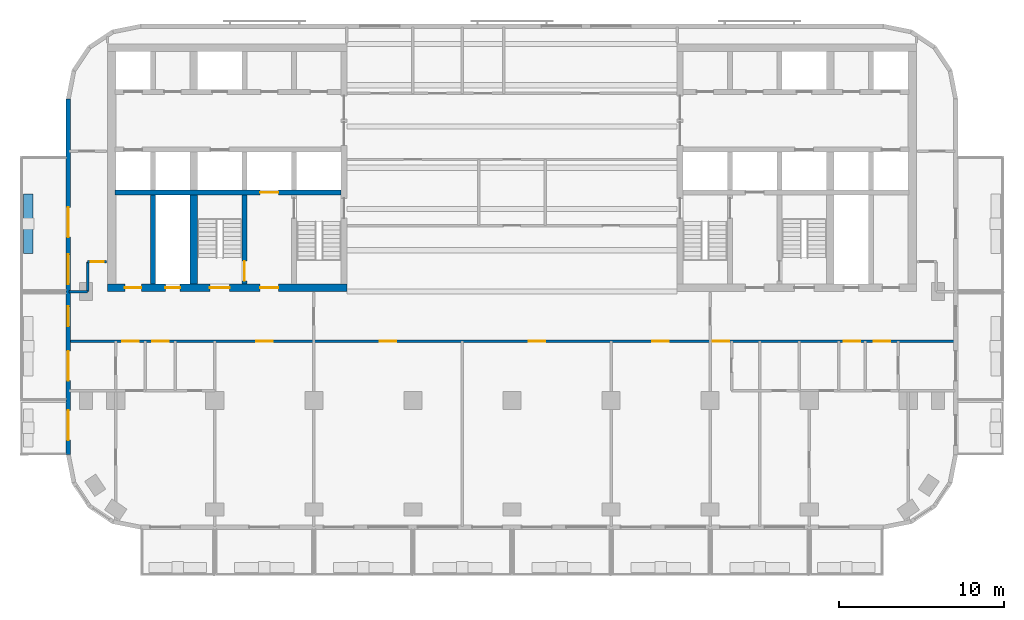
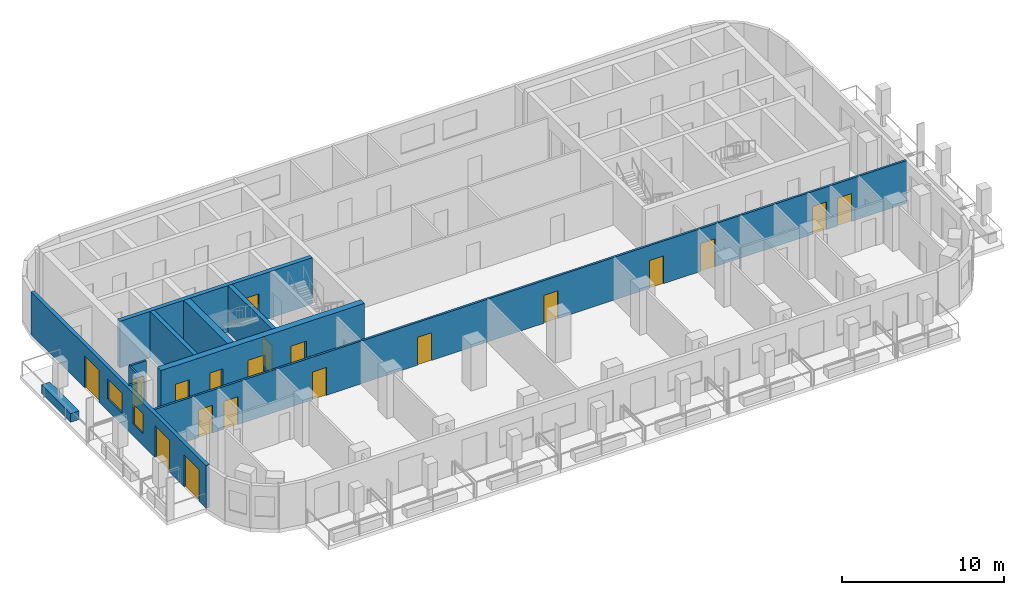
# One storey, part 3 of 11: 19 doors, 11 walls, 2 windows, 21 openings.
"""IFC4 building model written with IfcOpenShell, lengths in metres."""

from ifc_helpers import new_model, si_unit, direction, frame, frame_2d, origin, place, context, subcontext, project, spatial, rectangle, extrude, material, layer, layer_set, type_object, element, fill, save


model = new_model("IFC4")

# Units and contexts
model_context = context("Model", 3, precision=1e-05, world=origin(), true_north=direction((0.0, 1.0)))
body_context = subcontext(model_context, "Body", "Model", "MODEL_VIEW")
ifc_project = project(units=[si_unit("LENGTHUNIT", "METRE"), si_unit("AREAUNIT", "SQUARE_METRE"), si_unit("VOLUMEUNIT", "CUBIC_METRE"), si_unit("PLANEANGLEUNIT", "RADIAN"), si_unit("MASSUNIT", "GRAM", prefix="KILO")], contexts=[model_context])

# Site, building, storey
site_placement = place(None, origin())
site = spatial("IfcSite", under=ifc_project, at=site_placement, CompositionType="ELEMENT")
building_placement = place(site_placement, origin())
building = spatial("IfcBuilding", under=site, at=building_placement, Name="Torana Hotel and Residences", CompositionType="ELEMENT")
storey_placement = place(building_placement, frame((0.0, 0.0, 229.10009765625)))
storey = spatial("IfcBuildingStorey", under=building, at=storey_placement, Name="L60", CompositionType="ELEMENT", Elevation=229.10009765625)

# Wall, opening, door
ifc_material_1 = material(Name="Concrete C70/85", Category="concrete")
ifc_layer_1 = layer(ifc_material_1, 0.300048828125)
ifc_layer_set_1 = layer_set([ifc_layer_1], Name="CORE WALL 300 C70/85")
wall_type_1 = type_object("IfcWallType", Name="CORE WALL 300 C70/85", PredefinedType="SHEAR", material=ifc_layer_set_1)
wall_1_placement = place(storey_placement, frame((-24.050048828125, -9.0, 0.0), z_axis=(0.0, 0.0, 1.0), x_axis=(1.0, 0.0, 0.0)))
wall_1 = element("IfcWall", 1, at=wall_1_placement, inside=storey, type_object=wall_type_1, Name="Core wall W band", PredefinedType="SHEAR", context=body_context, shape_type="SweptSolid", body=[
    extrude(rectangle(XDim=13.699951171875, YDim=0.300048828125, at=frame_2d((6.85009765625, 0.0))), origin(), (0.0, 0.0, 1.0), 3.5),
])
opening_1_placement = place(wall_1_placement, frame((8.800048828125, 0.0, 0.0)))
opening_1 = element("IfcOpeningElement", 2, at=opening_1_placement, cuts=wall_1, Name="Opening LD", PredefinedType="OPENING", context=body_context, shape_type="SweptSolid", body=[
    extrude(rectangle(XDim=1.10009765625, YDim=2.10009765625, at=frame_2d((0.550048828125, 1.050048828125))), frame((0.0, 0.159912109375, 0.0), z_axis=(0.0, -1.0, 0.0), x_axis=(1.0, 0.0, 0.0)), (0.0, 0.0, 1.0), 0.320068359375),
])
ifc_material_2 = material(Name="Stainless steel 316", Category="steel")
door_type_1 = type_object("IfcDoorType", Name="LIFT LANDING DOOR LD 1100x2100", OperationType="DOUBLE_DOOR_SLIDING", PredefinedType="USERDEFINED", material=ifc_material_2)
door_1_placement = place(opening_1_placement, origin())
door_1 = element("IfcDoor", 3, at=door_1_placement, inside=storey, type_object=door_type_1, Name="Lift landing door FF1 L60", ObjectType="LIFT LANDING DOOR", OperationType="DOUBLE_DOOR_SLIDING", OverallHeight=2.10009765625, OverallWidth=1.10009765625, PredefinedType="USERDEFINED", context=body_context, shape_type="SweptSolid", body=[
    extrude(rectangle(XDim=1.10009765625, YDim=2.10009765625, at=frame_2d((0.550048828125, 1.050048828125))), frame((0.0, 0.02490234375, 0.0), z_axis=(0.0, -1.0, 0.0), x_axis=(1.0, 0.0, 0.0)), (0.0, 0.0, 1.0), 0.050048828125),
])
fill(opening_1, door_1)

wall_2_placement = place(storey_placement, frame((-16.199951171875, -14.550048828125, 0.0), z_axis=(0.0, 0.0, 1.0), x_axis=(0.0, 1.0, 0.0)))
wall_2 = element("IfcWall", 4, at=wall_2_placement, inside=storey, type_object=wall_type_1, Name="Core wall W x6.05-band", PredefinedType="SHEAR", context=body_context, shape_type="SweptSolid", body=[
    extrude(rectangle(XDim=5.400146484375, YDim=0.300048828125, at=frame_2d((2.7001953125, 0.0))), origin(), (0.0, 0.0, 1.0), 3.5),
])
opening_2_placement = place(wall_2_placement, frame((0.199951171875, 0.0, 0.0)))
opening_2 = element("IfcOpeningElement", 5, at=opening_2_placement, cuts=wall_2, Name="Opening L60-13", PredefinedType="OPENING", context=body_context, shape_type="SweptSolid", body=[
    extrude(rectangle(XDim=1.199951171875, YDim=2.10009765625, at=frame_2d((0.60009765625, 1.050048828125))), frame((0.0, 0.159912109375, 0.0), z_axis=(0.0, -1.0, 0.0), x_axis=(1.0, 0.0, 0.0)), (0.0, 0.0, 1.0), 0.320068359375),
])
ifc_material_3 = material(Name="Steel S235", Category="steel")
door_type_2 = type_object("IfcDoorType", Name="STAIR FIRE DOOR D3 1200x2100", OperationType="SINGLE_SWING_LEFT", PredefinedType="DOOR", material=ifc_material_3)
door_2_placement = place(opening_2_placement, origin())
door_2 = element("IfcDoor", 6, at=door_2_placement, inside=storey, type_object=door_type_2, Name="Stair-B-lobby door L60", OperationType="SINGLE_SWING_RIGHT", OverallHeight=2.10009765625, OverallWidth=1.199951171875, PredefinedType="DOOR", context=body_context, shape_type="SweptSolid", body=[
    extrude(rectangle(XDim=1.199951171875, YDim=2.10009765625, at=frame_2d((0.60009765625, 1.050048828125))), frame((0.0, 0.02490234375, 0.0), z_axis=(0.0, -1.0, 0.0), x_axis=(1.0, 0.0, 0.0)), (0.0, 0.0, 1.0), 0.050048828125),
])
fill(opening_2, door_2)

# Wall
wall_3_placement = place(storey_placement, frame((-21.75, -14.550048828125, 0.0), z_axis=(0.0, 0.0, 1.0), x_axis=(0.0, 1.0, 0.0)))
element("IfcWall", 7, at=wall_3_placement, inside=storey, type_object=wall_type_1, Name="Core wall W mm-band", PredefinedType="SHEAR", context=body_context, shape_type="SweptSolid", body=[
    extrude(rectangle(XDim=5.400146484375, YDim=0.300048828125, at=frame_2d((2.7001953125, 0.0))), origin(), (0.0, 0.0, 1.0), 3.5),
])

# Wall, openings, doors
ifc_material_4 = material(Name="Concrete C70/85", Category="concrete")
ifc_layer_2 = layer(ifc_material_4, 0.449951171875)
ifc_layer_set_2 = layer_set([ifc_layer_2], Name="CORE WALL 450 C70/85")
wall_type_2 = type_object("IfcWallType", Name="CORE WALL 450 C70/85", PredefinedType="SHEAR", material=ifc_layer_set_2)
wall_4_placement = place(storey_placement, frame((-24.5, -14.77490234375, 0.0), z_axis=(0.0, 0.0, 1.0), x_axis=(1.0, 0.0, 0.0)))
wall_4 = element("IfcWall", 8, at=wall_4_placement, inside=storey, type_object=wall_type_2, Name="Core wall W front", PredefinedType="SHEAR", context=body_context, shape_type="SweptSolid", body=[
    extrude(rectangle(XDim=14.5, YDim=0.449951171875, at=frame_2d((7.25, 0.0))), origin(), (0.0, 0.0, 1.0), 3.5),
])
opening_3_placement = place(wall_4_placement, frame((6.199951171875, 0.0, 0.0)))
opening_3 = element("IfcOpeningElement", 9, at=opening_3_placement, cuts=wall_4, Name="Opening L60-04", PredefinedType="OPENING", context=body_context, shape_type="SweptSolid", body=[
    extrude(rectangle(XDim=1.199951171875, YDim=2.10009765625, at=frame_2d((0.60009765625, 1.050048828125))), frame((0.0, 0.23486328125, 0.0), z_axis=(0.0, -1.0, 0.0), x_axis=(1.0, 0.0, 0.0)), (0.0, 0.0, 1.0), 0.469970703125),
])
opening_4_placement = place(wall_4_placement, frame((9.25, 0.0, 0.0)))
opening_4 = element("IfcOpeningElement", 10, at=opening_4_placement, cuts=wall_4, Name="Opening L60-05", PredefinedType="OPENING", context=body_context, shape_type="SweptSolid", body=[
    extrude(rectangle(XDim=1.10009765625, YDim=2.10009765625, at=frame_2d((0.550048828125, 1.050048828125))), frame((0.0, 0.23486328125, 0.0), z_axis=(0.0, -1.0, 0.0), x_axis=(1.0, 0.0, 0.0)), (0.0, 0.0, 1.0), 0.469970703125),
])
opening_5_placement = place(wall_4_placement, frame((3.5, 0.0, 0.0)))
opening_5 = element("IfcOpeningElement", 11, at=opening_5_placement, cuts=wall_4, Name="Opening L60-06", PredefinedType="OPENING", context=body_context, shape_type="SweptSolid", body=[
    extrude(rectangle(XDim=0.89990234375, YDim=2.10009765625, at=frame_2d((0.449951171875, 1.050048828125))), frame((0.0, 0.23486328125, 0.0), z_axis=(0.0, -1.0, 0.0), x_axis=(1.0, 0.0, 0.0)), (0.0, 0.0, 1.0), 0.469970703125),
])
opening_6_placement = place(wall_4_placement, frame((1.050048828125, 0.0, 0.0)))
opening_6 = element("IfcOpeningElement", 12, at=opening_6_placement, cuts=wall_4, Name="Opening L60-07", PredefinedType="OPENING", context=body_context, shape_type="SweptSolid", body=[
    extrude(rectangle(XDim=1.0, YDim=2.10009765625, at=frame_2d((0.5, 1.050048828125))), frame((0.0, 0.23486328125, 0.0), z_axis=(0.0, -1.0, 0.0), x_axis=(1.0, 0.0, 0.0)), (0.0, 0.0, 1.0), 0.469970703125),
])
ifc_material_5 = material(Name="Steel S235", Category="steel")
door_type_3 = type_object("IfcDoorType", Name="CORE ROOM FIRE DOOR D14 1000x2100", OperationType="SINGLE_SWING_LEFT", PredefinedType="DOOR", material=ifc_material_5)
door_3_placement = place(opening_6_placement, origin())
door_3 = element("IfcDoor", 13, at=door_3_placement, inside=storey, type_object=door_type_3, Name="M-Room door L60", OperationType="SINGLE_SWING_RIGHT", OverallHeight=2.10009765625, OverallWidth=1.0, PredefinedType="DOOR", context=body_context, shape_type="SweptSolid", body=[
    extrude(rectangle(XDim=1.0, YDim=2.10009765625, at=frame_2d((0.5, 1.050048828125))), frame((0.0, 0.02490234375, 0.0), z_axis=(0.0, -1.0, 0.0), x_axis=(1.0, 0.0, 0.0)), (0.0, 0.0, 1.0), 0.050048828125),
])
fill(opening_6, door_3)
ifc_material_6 = material(Name="Steel S235", Category="steel")
door_type_4 = type_object("IfcDoorType", Name="FIRE-FIGHTING LOBBY DOOR D8 1100x2100", OperationType="SINGLE_SWING_LEFT", PredefinedType="DOOR", material=ifc_material_6)
door_4_placement = place(opening_4_placement, origin())
door_4 = element("IfcDoor", 14, at=door_4_placement, inside=storey, type_object=door_type_4, Name="FF-lobby door L60", OperationType="SINGLE_SWING_RIGHT", OverallHeight=2.10009765625, OverallWidth=1.10009765625, PredefinedType="DOOR", context=body_context, shape_type="SweptSolid", body=[
    extrude(rectangle(XDim=1.10009765625, YDim=2.10009765625, at=frame_2d((0.550048828125, 1.050048828125))), frame((0.0, 0.02490234375, 0.0), z_axis=(0.0, -1.0, 0.0), x_axis=(1.0, 0.0, 0.0)), (0.0, 0.0, 1.0), 0.050048828125),
])
fill(opening_4, door_4)
ifc_material_7 = material(Name="Steel S235", Category="steel")
door_type_5 = type_object("IfcDoorType", Name="RISER ACCESS DOOR D5 900x2100", OperationType="SINGLE_SWING_LEFT", PredefinedType="DOOR", material=ifc_material_7)
door_5_placement = place(opening_5_placement, origin())
door_5 = element("IfcDoor", 15, at=door_5_placement, inside=storey, type_object=door_type_5, Name="M-Riser door L60", OperationType="SINGLE_SWING_RIGHT", OverallHeight=2.10009765625, OverallWidth=0.89990234375, PredefinedType="DOOR", context=body_context, shape_type="SweptSolid", body=[
    extrude(rectangle(XDim=0.89990234375, YDim=2.10009765625, at=frame_2d((0.449951171875, 1.050048828125))), frame((0.0, 0.02490234375, 0.0), z_axis=(0.0, -1.0, 0.0), x_axis=(1.0, 0.0, 0.0)), (0.0, 0.0, 1.0), 0.050048828125),
])
fill(opening_5, door_5)
door_6_placement = place(opening_3_placement, origin())
door_6 = element("IfcDoor", 16, at=door_6_placement, inside=storey, type_object=door_type_2, Name="Stair-B door L60", OperationType="SINGLE_SWING_RIGHT", OverallHeight=2.10009765625, OverallWidth=1.199951171875, PredefinedType="DOOR", context=body_context, shape_type="SweptSolid", body=[
    extrude(rectangle(XDim=1.199951171875, YDim=2.10009765625, at=frame_2d((0.60009765625, 1.050048828125))), frame((0.0, 0.02490234375, 0.0), z_axis=(0.0, -1.0, 0.0), x_axis=(1.0, 0.0, 0.0)), (0.0, 0.0, 1.0), 0.050048828125),
])
fill(opening_3, door_6)

# Wall
wall_5_placement = place(storey_placement, frame((-19.27490234375, -14.550048828125, 0.0), z_axis=(0.0, 0.0, 1.0), x_axis=(0.0, 1.0, 0.0)))
element("IfcWall", 17, at=wall_5_placement, inside=storey, type_object=wall_type_2, Name="Core wall W hm-band", PredefinedType="SHEAR", context=body_context, shape_type="SweptSolid", body=[
    extrude(rectangle(XDim=5.400146484375, YDim=0.449951171875, at=frame_2d((2.7001953125, 0.0))), origin(), (0.0, 0.0, 1.0), 3.5),
])

# Wall, openings, doors, windows
ifc_material_8 = material(Name="Black aluminium composite panel", Category="aluminium")
ifc_layer_3 = layer(ifc_material_8, 0.00390625, Name="Cladding", Category="cladding")
ifc_material_9 = material(Name="Ventilated air cavity")
ifc_layer_4 = layer(ifc_material_9, 0.0400390625, Name="Ventilated cavity", Category="cavity")
ifc_material_10 = material(Name="Mineral wool insulation")
ifc_layer_5 = layer(ifc_material_10, 0.090087890625, Name="Insulation", Category="insulation")
ifc_material_11 = material(Name="Steel S280GD", Category="steel")
ifc_layer_6 = layer(ifc_material_11, 0.092041015625, Name="Steel stud frame", Category="structure")
ifc_material_12 = material(Name="Fire rated plasterboard")
ifc_layer_7 = layer(ifc_material_12, 0.011962890625, Name="Inner board", Category="finish")
ifc_layer_8 = layer(ifc_material_12, 0.011962890625, Name="Second board", Category="finish")
ifc_layer_set_3 = layer_set([ifc_layer_3, ifc_layer_4, ifc_layer_5, ifc_layer_6, ifc_layer_7, ifc_layer_8], Name="EW1 EXTERNAL WALL BLACK METAL CLAD 250")
wall_type_3 = type_object("IfcWallType", Name="EW1 EXTERNAL WALL BLACK METAL CLAD 250", PredefinedType="SOLIDWALL", material=ifc_layer_set_3)
wall_6_placement = place(storey_placement, frame((-26.875, -3.32470703125, 0.0), z_axis=(0.0, 0.0, 1.0), x_axis=(0.0, -1.0, 0.0)))
wall_6 = element("IfcWall", 18, at=wall_6_placement, inside=storey, type_object=wall_type_3, Name="External wall L60 e0.9", PredefinedType="SOLIDWALL", context=body_context, shape_type="SweptSolid", body=[
    extrude(rectangle(XDim=21.55078125, YDim=0.25, at=frame_2d((10.775390625, 0.0))), origin(), (0.0, 0.0, 1.0), 3.219970703125),
])
opening_7_placement = place(wall_6_placement, frame((6.575439453125, 0.0, 0.0)))
opening_7 = element("IfcOpeningElement", 19, at=opening_7_placement, cuts=wall_6, Name="Opening L60-E12", PredefinedType="OPENING", context=body_context, shape_type="SweptSolid", body=[
    extrude(rectangle(XDim=1.800048828125, YDim=2.39990234375, at=frame_2d((0.89990234375, 1.199951171875))), frame((0.0, 0.135009765625, 0.0), z_axis=(0.0, -1.0, 0.0), x_axis=(1.0, 0.0, 0.0)), (0.0, 0.0, 1.0), 0.27001953125),
])
opening_8_placement = place(wall_6_placement, frame((9.42529296875, 0.0, 0.89990234375)))
opening_8 = element("IfcOpeningElement", 20, at=opening_8_placement, cuts=wall_6, Name="Opening W4", PredefinedType="OPENING", context=body_context, shape_type="SweptSolid", body=[
    extrude(rectangle(XDim=1.800048828125, YDim=1.5, at=frame_2d((0.89990234375, 0.75))), frame((0.0, 0.135009765625, 0.0), z_axis=(0.0, -1.0, 0.0), x_axis=(1.0, 0.0, 0.0)), (0.0, 0.0, 1.0), 0.27001953125),
])
opening_9_placement = place(wall_6_placement, frame((12.575439453125, 0.0, 0.89990234375)))
opening_9 = element("IfcOpeningElement", 21, at=opening_9_placement, cuts=wall_6, Name="Opening W5", PredefinedType="OPENING", context=body_context, shape_type="SweptSolid", body=[
    extrude(rectangle(XDim=1.199951171875, YDim=1.5, at=frame_2d((0.60009765625, 0.75))), frame((0.0, 0.135009765625, 0.0), z_axis=(0.0, -1.0, 0.0), x_axis=(1.0, 0.0, 0.0)), (0.0, 0.0, 1.0), 0.27001953125),
])
opening_10_placement = place(wall_6_placement, frame((15.275390625, 0.0, 0.0)))
opening_10 = element("IfcOpeningElement", 22, at=opening_10_placement, cuts=wall_6, Name="Opening L60-E13", PredefinedType="OPENING", context=body_context, shape_type="SweptSolid", body=[
    extrude(rectangle(XDim=1.800048828125, YDim=2.39990234375, at=frame_2d((0.89990234375, 1.199951171875))), frame((0.0, 0.135009765625, 0.0), z_axis=(0.0, -1.0, 0.0), x_axis=(1.0, 0.0, 0.0)), (0.0, 0.0, 1.0), 0.27001953125),
])
opening_11_placement = place(wall_6_placement, frame((18.87548828125, 0.0, 0.0)))
opening_11 = element("IfcOpeningElement", 23, at=opening_11_placement, cuts=wall_6, Name="Opening L60-E14", PredefinedType="OPENING", context=body_context, shape_type="SweptSolid", body=[
    extrude(rectangle(XDim=1.800048828125, YDim=2.39990234375, at=frame_2d((0.89990234375, 1.199951171875))), frame((0.0, 0.135009765625, 0.0), z_axis=(0.0, -1.0, 0.0), x_axis=(1.0, 0.0, 0.0)), (0.0, 0.0, 1.0), 0.27001953125),
])
ifc_material_13 = material(Name="Dark glass in black aluminium frame", Category="aluminium")
door_type_6 = type_object("IfcDoorType", Name="DB1 BALCONY DOOR 1800x2400", OperationType="DOUBLE_DOOR_SINGLE_SWING", PredefinedType="DOOR", material=ifc_material_13)
door_7_placement = place(opening_7_placement, origin())
door_7 = element("IfcDoor", 24, at=door_7_placement, inside=storey, type_object=door_type_6, Name="Balcony door L60", OperationType="DOUBLE_DOOR_SINGLE_SWING", OverallHeight=2.39990234375, OverallWidth=1.800048828125, PredefinedType="DOOR", context=body_context, shape_type="SweptSolid", body=[
    extrude(rectangle(XDim=1.800048828125, YDim=2.39990234375, at=frame_2d((0.89990234375, 1.199951171875))), frame((0.0, 0.02490234375, 0.0), z_axis=(0.0, -1.0, 0.0), x_axis=(1.0, 0.0, 0.0)), (0.0, 0.0, 1.0), 0.050048828125),
])
fill(opening_7, door_7)
door_8_placement = place(opening_10_placement, origin())
door_8 = element("IfcDoor", 25, at=door_8_placement, inside=storey, type_object=door_type_6, Name="Balcony door L60", OperationType="DOUBLE_DOOR_SINGLE_SWING", OverallHeight=2.39990234375, OverallWidth=1.800048828125, PredefinedType="DOOR", context=body_context, shape_type="SweptSolid", body=[
    extrude(rectangle(XDim=1.800048828125, YDim=2.39990234375, at=frame_2d((0.89990234375, 1.199951171875))), frame((0.0, 0.02490234375, 0.0), z_axis=(0.0, -1.0, 0.0), x_axis=(1.0, 0.0, 0.0)), (0.0, 0.0, 1.0), 0.050048828125),
])
fill(opening_10, door_8)
door_9_placement = place(opening_11_placement, origin())
door_9 = element("IfcDoor", 26, at=door_9_placement, inside=storey, type_object=door_type_6, Name="Balcony door L60", OperationType="DOUBLE_DOOR_SINGLE_SWING", OverallHeight=2.39990234375, OverallWidth=1.800048828125, PredefinedType="DOOR", context=body_context, shape_type="SweptSolid", body=[
    extrude(rectangle(XDim=1.800048828125, YDim=2.39990234375, at=frame_2d((0.89990234375, 1.199951171875))), frame((0.0, 0.02490234375, 0.0), z_axis=(0.0, -1.0, 0.0), x_axis=(1.0, 0.0, 0.0)), (0.0, 0.0, 1.0), 0.050048828125),
])
fill(opening_11, door_9)
ifc_material_14 = material(Name="Dark glass in black aluminium frame", Category="aluminium")
window_type_1 = type_object("IfcWindowType", Name="W4 RESIDENCE WINDOW NARROW 1800x1500", PartitioningType="SINGLE_PANEL", PredefinedType="WINDOW", material=ifc_material_14)
window_1_placement = place(opening_8_placement, origin())
window_1 = element("IfcWindow", 27, at=window_1_placement, inside=storey, type_object=window_type_1, Name="Window L60", OverallHeight=1.5, OverallWidth=1.800048828125, PartitioningType="SINGLE_PANEL", PredefinedType="WINDOW", context=body_context, shape_type="SweptSolid", body=[
    extrude(rectangle(XDim=1.800048828125, YDim=1.5, at=frame_2d((0.89990234375, 0.75))), frame((0.0, 0.030029296875, 0.0), z_axis=(0.0, -1.0, 0.0), x_axis=(1.0, 0.0, 0.0)), (0.0, 0.0, 1.0), 0.06005859375),
])
fill(opening_8, window_1)
ifc_material_15 = material(Name="Dark glass in black aluminium frame", Category="aluminium")
window_type_2 = type_object("IfcWindowType", Name="W5 CORNER FACET WINDOW 1200x1500", PartitioningType="SINGLE_PANEL", PredefinedType="WINDOW", material=ifc_material_15)
window_2_placement = place(opening_9_placement, origin())
window_2 = element("IfcWindow", 28, at=window_2_placement, inside=storey, type_object=window_type_2, Name="Window L60", OverallHeight=1.5, OverallWidth=1.199951171875, PartitioningType="SINGLE_PANEL", PredefinedType="WINDOW", context=body_context, shape_type="SweptSolid", body=[
    extrude(rectangle(XDim=1.199951171875, YDim=1.5, at=frame_2d((0.60009765625, 0.75))), frame((0.0, 0.030029296875, 0.0), z_axis=(0.0, -1.0, 0.0), x_axis=(1.0, 0.0, 0.0)), (0.0, 0.0, 1.0), 0.06005859375),
])
fill(opening_9, window_2)

# Wall
ifc_material_16 = material(Name="Gypsum plaster")
ifc_layer_9 = layer(ifc_material_16, 0.014892578125, Name="Plaster", Category="finish")
ifc_material_17 = material(Name="Concrete blockwork", Category="masonry")
ifc_layer_10 = layer(ifc_material_17, 0.1201171875, Name="Blockwork", Category="structure")
ifc_layer_11 = layer(ifc_material_16, 0.014892578125, Name="Plaster", Category="finish")
ifc_layer_set_4 = layer_set([ifc_layer_9, ifc_layer_10, ifc_layer_11], Name="FIRE PARTITION 150 BLOCKWORK")
wall_type_4 = type_object("IfcWallType", Name="FIRE PARTITION 150 BLOCKWORK", PredefinedType="PARTITIONING", material=ifc_layer_set_4)
wall_7_placement = place(storey_placement, frame((-25.699951171875, -15.0, 0.0), z_axis=(0.0, 0.0, 1.0), x_axis=(0.0, 1.0, 0.0)))
element("IfcWall", 29, at=wall_7_placement, inside=storey, type_object=wall_type_4, Name="Partition L60", PredefinedType="PARTITIONING", context=body_context, shape_type="SweptSolid", body=[
    extrude(rectangle(XDim=1.800048828125, YDim=0.14990234375, at=frame_2d((0.89990234375, 0.0))), origin(), (0.0, 0.0, 1.0), 3.219970703125),
])

# Wall, openings, doors
wall_8_placement = place(storey_placement, frame((-26.820068359375, -18.0, 0.0), z_axis=(0.0, 0.0, 1.0), x_axis=(1.0, 0.0, 0.0)))
wall_8 = element("IfcWall", 30, at=wall_8_placement, inside=storey, type_object=wall_type_4, Name="Partition L60", PredefinedType="PARTITIONING", context=body_context, shape_type="SweptSolid", body=[
    extrude(rectangle(XDim=53.64013671875, YDim=0.14990234375, at=frame_2d((26.820068359375, 0.0))), origin(), (0.0, 0.0, 1.0), 3.219970703125),
])
opening_12_placement = place(wall_8_placement, frame((11.320068359375, 0.0, 0.0)))
opening_12 = element("IfcOpeningElement", 31, at=opening_12_placement, cuts=wall_8, Name="Opening L60-28", PredefinedType="OPENING", context=body_context, shape_type="SweptSolid", body=[
    extrude(rectangle(XDim=1.0, YDim=2.10009765625, at=frame_2d((0.5, 1.050048828125))), frame((0.0, 0.0849609375, 0.0), z_axis=(0.0, -1.0, 0.0), x_axis=(1.0, 0.0, 0.0)), (0.0, 0.0, 1.0), 0.169921875),
])
opening_13_placement = place(wall_8_placement, frame((3.219970703125, 0.0, 0.0)))
opening_13 = element("IfcOpeningElement", 32, at=opening_13_placement, cuts=wall_8, Name="Opening L60-29", PredefinedType="OPENING", context=body_context, shape_type="SweptSolid", body=[
    extrude(rectangle(XDim=1.0, YDim=2.10009765625, at=frame_2d((0.5, 1.050048828125))), frame((0.0, 0.0849609375, 0.0), z_axis=(0.0, -1.0, 0.0), x_axis=(1.0, 0.0, 0.0)), (0.0, 0.0, 1.0), 0.169921875),
])
opening_14_placement = place(wall_8_placement, frame((5.02001953125, 0.0, 0.0)))
opening_14 = element("IfcOpeningElement", 33, at=opening_14_placement, cuts=wall_8, Name="Opening L60-30", PredefinedType="OPENING", context=body_context, shape_type="SweptSolid", body=[
    extrude(rectangle(XDim=1.0, YDim=2.10009765625, at=frame_2d((0.5, 1.050048828125))), frame((0.0, 0.0849609375, 0.0), z_axis=(0.0, -1.0, 0.0), x_axis=(1.0, 0.0, 0.0)), (0.0, 0.0, 1.0), 0.169921875),
])
opening_15_placement = place(wall_8_placement, frame((38.969970703125, 0.0, 0.0)))
opening_15 = element("IfcOpeningElement", 34, at=opening_15_placement, cuts=wall_8, Name="Opening L60-33", PredefinedType="OPENING", context=body_context, shape_type="SweptSolid", body=[
    extrude(rectangle(XDim=1.0, YDim=2.10009765625, at=frame_2d((0.5, 1.050048828125))), frame((0.0, 0.0849609375, 0.0), z_axis=(0.0, -1.0, 0.0), x_axis=(1.0, 0.0, 0.0)), (0.0, 0.0, 1.0), 0.169921875),
])
opening_16_placement = place(wall_8_placement, frame((48.719970703125, 0.0, 0.0)))
opening_16 = element("IfcOpeningElement", 35, at=opening_16_placement, cuts=wall_8, Name="Opening L60-34", PredefinedType="OPENING", context=body_context, shape_type="SweptSolid", body=[
    extrude(rectangle(XDim=1.0, YDim=2.10009765625, at=frame_2d((0.5, 1.050048828125))), frame((0.0, 0.0849609375, 0.0), z_axis=(0.0, -1.0, 0.0), x_axis=(1.0, 0.0, 0.0)), (0.0, 0.0, 1.0), 0.169921875),
])
opening_17_placement = place(wall_8_placement, frame((46.919921875, 0.0, 0.0)))
opening_17 = element("IfcOpeningElement", 36, at=opening_17_placement, cuts=wall_8, Name="Opening L60-35", PredefinedType="OPENING", context=body_context, shape_type="SweptSolid", body=[
    extrude(rectangle(XDim=1.0, YDim=2.10009765625, at=frame_2d((0.5, 1.050048828125))), frame((0.0, 0.0849609375, 0.0), z_axis=(0.0, -1.0, 0.0), x_axis=(1.0, 0.0, 0.0)), (0.0, 0.0, 1.0), 0.169921875),
])
opening_18_placement = place(wall_8_placement, frame((18.820068359375, 0.0, 0.0)))
opening_18 = element("IfcOpeningElement", 37, at=opening_18_placement, cuts=wall_8, Name="Opening L60-38", PredefinedType="OPENING", context=body_context, shape_type="SweptSolid", body=[
    extrude(rectangle(XDim=1.0, YDim=2.10009765625, at=frame_2d((0.5, 1.050048828125))), frame((0.0, 0.0849609375, 0.0), z_axis=(0.0, -1.0, 0.0), x_axis=(1.0, 0.0, 0.0)), (0.0, 0.0, 1.0), 0.169921875),
])
opening_19_placement = place(wall_8_placement, frame((27.820068359375, 0.0, 0.0)))
opening_19 = element("IfcOpeningElement", 38, at=opening_19_placement, cuts=wall_8, Name="Opening L60-39", PredefinedType="OPENING", context=body_context, shape_type="SweptSolid", body=[
    extrude(rectangle(XDim=1.0, YDim=2.10009765625, at=frame_2d((0.5, 1.050048828125))), frame((0.0, 0.0849609375, 0.0), z_axis=(0.0, -1.0, 0.0), x_axis=(1.0, 0.0, 0.0)), (0.0, 0.0, 1.0), 0.169921875),
])
opening_20_placement = place(wall_8_placement, frame((35.320068359375, 0.0, 0.0)))
opening_20 = element("IfcOpeningElement", 39, at=opening_20_placement, cuts=wall_8, Name="Opening L60-40", PredefinedType="OPENING", context=body_context, shape_type="SweptSolid", body=[
    extrude(rectangle(XDim=1.0, YDim=2.10009765625, at=frame_2d((0.5, 1.050048828125))), frame((0.0, 0.0849609375, 0.0), z_axis=(0.0, -1.0, 0.0), x_axis=(1.0, 0.0, 0.0)), (0.0, 0.0, 1.0), 0.169921875),
])
ifc_material_18 = material(Name="Steel S235", Category="steel")
door_type_7 = type_object("IfcDoorType", Name="ENTRY FIRE DOOR D6 1000x2100", OperationType="SINGLE_SWING_LEFT", PredefinedType="DOOR", material=ifc_material_18)
door_10_placement = place(opening_12_placement, frame((0.5, 0.0, 0.0), z_axis=(0.0, 0.0, 1.0), x_axis=(-1.0, 0.0, 0.0)))
door_10 = element("IfcDoor", 40, at=door_10_placement, inside=storey, type_object=door_type_7, Name="Door L60", OperationType="SINGLE_SWING_LEFT", OverallHeight=2.10009765625, OverallWidth=1.0, PredefinedType="DOOR", context=body_context, shape_type="SweptSolid", body=[
    extrude(rectangle(XDim=1.0, YDim=2.10009765625, at=frame_2d((0.0, 1.050048828125))), frame((0.0, -0.02490234375, 0.0), z_axis=(0.0, 1.0, 0.0), x_axis=(-1.0, 0.0, 0.0)), (0.0, 0.0, 1.0), 0.050048828125),
])
fill(opening_12, door_10)
door_11_placement = place(opening_13_placement, origin())
door_11 = element("IfcDoor", 41, at=door_11_placement, inside=storey, type_object=door_type_7, Name="Door L60", OperationType="SINGLE_SWING_RIGHT", OverallHeight=2.10009765625, OverallWidth=1.0, PredefinedType="DOOR", context=body_context, shape_type="SweptSolid", body=[
    extrude(rectangle(XDim=1.0, YDim=2.10009765625, at=frame_2d((0.5, 1.050048828125))), frame((0.0, 0.02490234375, 0.0), z_axis=(0.0, -1.0, 0.0), x_axis=(1.0, 0.0, 0.0)), (0.0, 0.0, 1.0), 0.050048828125),
])
fill(opening_13, door_11)
door_12_placement = place(opening_14_placement, frame((0.5, 0.0, 0.0), z_axis=(0.0, 0.0, 1.0), x_axis=(-1.0, 0.0, 0.0)))
door_12 = element("IfcDoor", 42, at=door_12_placement, inside=storey, type_object=door_type_7, Name="Door L60", OperationType="SINGLE_SWING_LEFT", OverallHeight=2.10009765625, OverallWidth=1.0, PredefinedType="DOOR", context=body_context, shape_type="SweptSolid", body=[
    extrude(rectangle(XDim=1.0, YDim=2.10009765625, at=frame_2d((0.0, 1.050048828125))), frame((0.0, -0.02490234375, 0.0), z_axis=(0.0, 1.0, 0.0), x_axis=(-1.0, 0.0, 0.0)), (0.0, 0.0, 1.0), 0.050048828125),
])
fill(opening_14, door_12)
door_13_placement = place(opening_15_placement, frame((0.5, 0.0, 0.0), z_axis=(0.0, 0.0, 1.0), x_axis=(-1.0, 0.0, 0.0)))
door_13 = element("IfcDoor", 43, at=door_13_placement, inside=storey, type_object=door_type_7, Name="Door L60", OperationType="SINGLE_SWING_LEFT", OverallHeight=2.10009765625, OverallWidth=1.0, PredefinedType="DOOR", context=body_context, shape_type="SweptSolid", body=[
    extrude(rectangle(XDim=1.0, YDim=2.10009765625, at=frame_2d((0.0, 1.050048828125))), frame((0.0, -0.02490234375, 0.0), z_axis=(0.0, 1.0, 0.0), x_axis=(-1.0, 0.0, 0.0)), (0.0, 0.0, 1.0), 0.050048828125),
])
fill(opening_15, door_13)
door_14_placement = place(opening_16_placement, origin())
door_14 = element("IfcDoor", 44, at=door_14_placement, inside=storey, type_object=door_type_7, Name="Door L60", OperationType="SINGLE_SWING_RIGHT", OverallHeight=2.10009765625, OverallWidth=1.0, PredefinedType="DOOR", context=body_context, shape_type="SweptSolid", body=[
    extrude(rectangle(XDim=1.0, YDim=2.10009765625, at=frame_2d((0.5, 1.050048828125))), frame((0.0, 0.02490234375, 0.0), z_axis=(0.0, -1.0, 0.0), x_axis=(1.0, 0.0, 0.0)), (0.0, 0.0, 1.0), 0.050048828125),
])
fill(opening_16, door_14)
door_15_placement = place(opening_17_placement, frame((0.5, 0.0, 0.0), z_axis=(0.0, 0.0, 1.0), x_axis=(-1.0, 0.0, 0.0)))
door_15 = element("IfcDoor", 45, at=door_15_placement, inside=storey, type_object=door_type_7, Name="Door L60", OperationType="SINGLE_SWING_LEFT", OverallHeight=2.10009765625, OverallWidth=1.0, PredefinedType="DOOR", context=body_context, shape_type="SweptSolid", body=[
    extrude(rectangle(XDim=1.0, YDim=2.10009765625, at=frame_2d((0.0, 1.050048828125))), frame((0.0, -0.02490234375, 0.0), z_axis=(0.0, 1.0, 0.0), x_axis=(-1.0, 0.0, 0.0)), (0.0, 0.0, 1.0), 0.050048828125),
])
fill(opening_17, door_15)
door_16_placement = place(opening_18_placement, frame((0.5, 0.0, 0.0), z_axis=(0.0, 0.0, 1.0), x_axis=(-1.0, 0.0, 0.0)))
door_16 = element("IfcDoor", 46, at=door_16_placement, inside=storey, type_object=door_type_7, Name="Door L60", OperationType="SINGLE_SWING_LEFT", OverallHeight=2.10009765625, OverallWidth=1.0, PredefinedType="DOOR", context=body_context, shape_type="SweptSolid", body=[
    extrude(rectangle(XDim=1.0, YDim=2.10009765625, at=frame_2d((0.0, 1.050048828125))), frame((0.0, -0.02490234375, 0.0), z_axis=(0.0, 1.0, 0.0), x_axis=(-1.0, 0.0, 0.0)), (0.0, 0.0, 1.0), 0.050048828125),
])
fill(opening_18, door_16)
door_17_placement = place(opening_19_placement, frame((0.5, 0.0, 0.0), z_axis=(0.0, 0.0, 1.0), x_axis=(-1.0, 0.0, 0.0)))
door_17 = element("IfcDoor", 47, at=door_17_placement, inside=storey, type_object=door_type_7, Name="Door L60", OperationType="SINGLE_SWING_LEFT", OverallHeight=2.10009765625, OverallWidth=1.0, PredefinedType="DOOR", context=body_context, shape_type="SweptSolid", body=[
    extrude(rectangle(XDim=1.0, YDim=2.10009765625, at=frame_2d((0.0, 1.050048828125))), frame((0.0, -0.02490234375, 0.0), z_axis=(0.0, 1.0, 0.0), x_axis=(-1.0, 0.0, 0.0)), (0.0, 0.0, 1.0), 0.050048828125),
])
fill(opening_19, door_17)
door_18_placement = place(opening_20_placement, frame((0.5, 0.0, 0.0), z_axis=(0.0, 0.0, 1.0), x_axis=(-1.0, 0.0, 0.0)))
door_18 = element("IfcDoor", 48, at=door_18_placement, inside=storey, type_object=door_type_7, Name="Door L60", OperationType="SINGLE_SWING_LEFT", OverallHeight=2.10009765625, OverallWidth=1.0, PredefinedType="DOOR", context=body_context, shape_type="SweptSolid", body=[
    extrude(rectangle(XDim=1.0, YDim=2.10009765625, at=frame_2d((0.0, 1.050048828125))), frame((0.0, -0.02490234375, 0.0), z_axis=(0.0, 1.0, 0.0), x_axis=(-1.0, 0.0, 0.0)), (0.0, 0.0, 1.0), 0.050048828125),
])
fill(opening_20, door_18)

# Wall
wall_9_placement = place(storey_placement, frame((-26.820068359375, -15.0, 0.0), z_axis=(0.0, 0.0, 1.0), x_axis=(1.0, 0.0, 0.0)))
element("IfcWall", 49, at=wall_9_placement, inside=storey, type_object=wall_type_4, Name="Partition L60", PredefinedType="PARTITIONING", context=body_context, shape_type="SweptSolid", body=[
    extrude(rectangle(XDim=1.1201171875, YDim=0.14990234375, at=frame_2d((0.56005859375, 0.0))), origin(), (0.0, 0.0, 1.0), 3.219970703125),
])

# Wall, opening, door
wall_10_placement = place(storey_placement, frame((-25.699951171875, -13.199951171875, 0.0), z_axis=(0.0, 0.0, 1.0), x_axis=(1.0, 0.0, 0.0)))
wall_10 = element("IfcWall", 50, at=wall_10_placement, inside=storey, type_object=wall_type_4, Name="Partition L60", PredefinedType="PARTITIONING", context=body_context, shape_type="SweptSolid", body=[
    extrude(rectangle(XDim=1.14990234375, YDim=0.14990234375, at=frame_2d((0.574951171875, 0.0))), origin(), (0.0, 0.0, 1.0), 3.219970703125),
])
opening_21_placement = place(wall_10_placement, frame((0.175048828125, 0.0, 0.0)))
opening_21 = element("IfcOpeningElement", 51, at=opening_21_placement, cuts=wall_10, Name="Opening L60-31", PredefinedType="OPENING", context=body_context, shape_type="SweptSolid", body=[
    extrude(rectangle(XDim=0.800048828125, YDim=2.10009765625, at=frame_2d((0.39990234375, 1.050048828125))), frame((0.0, 0.0849609375, 0.0), z_axis=(0.0, -1.0, 0.0), x_axis=(1.0, 0.0, 0.0)), (0.0, 0.0, 1.0), 0.169921875),
])
ifc_material_19 = material(Name="Steel S235", Category="steel")
door_type_8 = type_object("IfcDoorType", Name="STORE FIRE DOOR D16 800x2100", OperationType="SINGLE_SWING_LEFT", PredefinedType="DOOR", material=ifc_material_19)
door_19_placement = place(opening_21_placement, origin())
door_19 = element("IfcDoor", 52, at=door_19_placement, inside=storey, type_object=door_type_8, Name="Door L60", OperationType="SINGLE_SWING_LEFT", OverallHeight=2.10009765625, OverallWidth=0.800048828125, PredefinedType="DOOR", context=body_context, shape_type="SweptSolid", body=[
    extrude(rectangle(XDim=0.800048828125, YDim=2.10009765625, at=frame_2d((0.39990234375, 1.050048828125))), frame((0.0, 0.02490234375, 0.0), z_axis=(0.0, -1.0, 0.0), x_axis=(1.0, 0.0, 0.0)), (0.0, 0.0, 1.0), 0.050048828125),
])
fill(opening_21, door_19)

# Wall
ifc_material_20 = material(Name="Concrete C40/50 precast", Category="concrete")
ifc_layer_12 = layer(ifc_material_20, 0.10009765625, Name="Planter shell", Category="structure")
ifc_material_21 = material(Name="Root resistant membrane")
ifc_layer_13 = layer(ifc_material_21, 0.00390625, Name="Waterproofing membrane", Category="membrane")
ifc_material_22 = material(Name="Drainage board with filter fleece")
ifc_layer_14 = layer(ifc_material_22, 0.02001953125, Name="Drainage board", Category="drainage")
ifc_material_23 = material(Name="Growing medium")
ifc_layer_15 = layer(ifc_material_23, 0.47607421875, Name="Planting substrate", Category="soil")
ifc_layer_set_5 = layer_set([ifc_layer_12, ifc_layer_13, ifc_layer_14, ifc_layer_15], Name="PL1 BALCONY PLANTER 600")
wall_type_5 = type_object("IfcWallType", Name="PL1 BALCONY PLANTER 600", PredefinedType="USERDEFINED", material=ifc_layer_set_5)
wall_11_placement = place(storey_placement, frame((-29.300048828125, -12.699951171875, 0.0), z_axis=(0.0, 0.0, 1.0), x_axis=(0.0, 1.0, 0.0)))
element("IfcWall", 53, at=wall_11_placement, inside=storey, type_object=wall_type_5, Name="Planter 11", ObjectType="PLANTER", PredefinedType="USERDEFINED", context=body_context, shape_type="SweptSolid", body=[
    extrude(rectangle(XDim=3.599853515625, YDim=0.60009765625, at=frame_2d((1.7998046875, 0.0))), origin(), (0.0, 0.0, 1.0), 0.64990234375),
])

save(model, "model.ifc")
